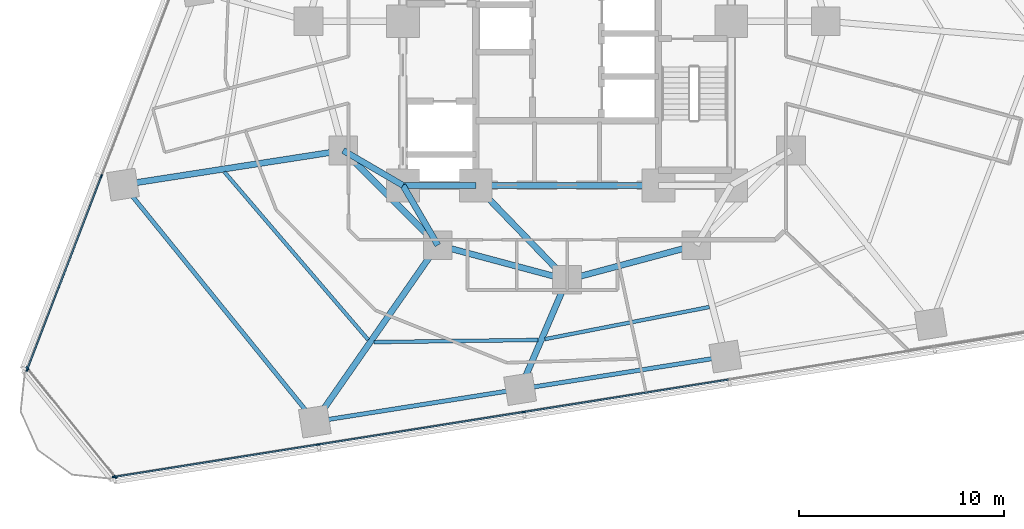
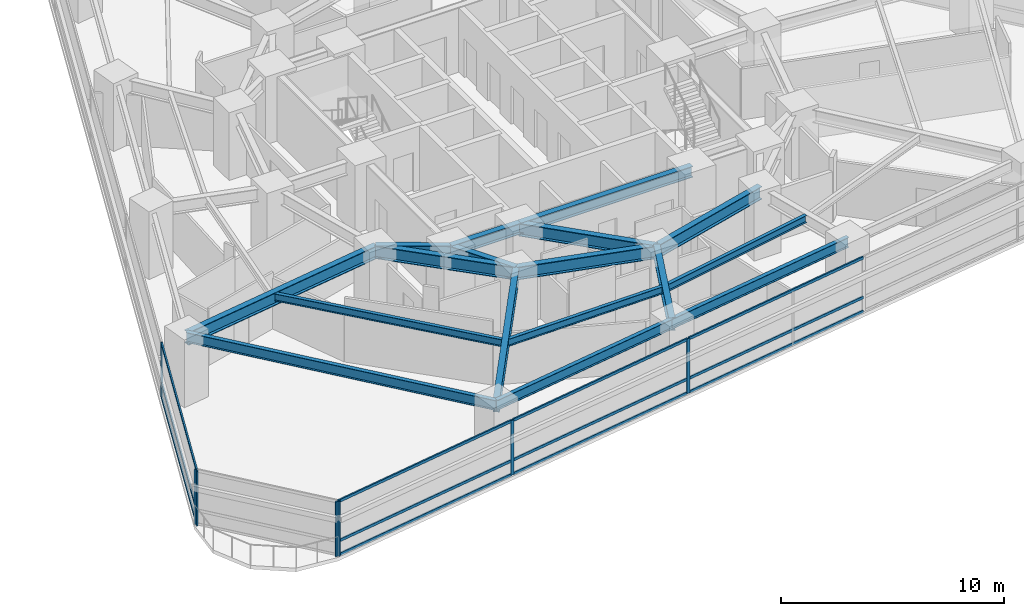
# One storey, part 2 of 14: 19 members, 17 beams, 3 elements without a shape of their own.
"""IFC4 building model written with IfcOpenShell, lengths in metres."""

from ifc_helpers import new_model, si_unit, direction, frame, origin, origin_2d, place, context, subcontext, project, spatial, rectangle, i_section, extrude, material, layer, layer_set, material_profile, profile_set, type_object, element, aggregate, save


model = new_model("IFC4")

# Units and contexts
model_context = context("Model", 3, precision=1e-05, world=origin(), true_north=direction((0.0, 1.0)))
body_context = subcontext(model_context, "Body", "Model", "MODEL_VIEW")
ifc_project = project(units=[si_unit("LENGTHUNIT", "METRE"), si_unit("AREAUNIT", "SQUARE_METRE"), si_unit("VOLUMEUNIT", "CUBIC_METRE"), si_unit("PLANEANGLEUNIT", "RADIAN"), si_unit("MASSUNIT", "GRAM", prefix="KILO")], contexts=[model_context])

# Site, building, storey
site_placement = place(None, origin())
site = spatial("IfcSite", under=ifc_project, at=site_placement, CompositionType="ELEMENT")
building_placement = place(site_placement, origin())
building = spatial("IfcBuilding", under=site, at=building_placement, Name="Terralouvre Media Tower", CompositionType="ELEMENT")
storey_placement = place(building_placement, frame((0.0, 0.0, 70.39990234375)))
storey = spatial("IfcBuildingStorey", under=building, at=storey_placement, Name="L17", CompositionType="ELEMENT", Elevation=70.39990234375)

# Beams
ifc_material_1 = material(Name="Structural steel S355J2", Category="steel")
ifc_material_profile_1 = material_profile(ifc_material_1, i_section(OverallWidth=0.179931640625, OverallDepth=0.39990234375, WebThickness=0.008544921875, FlangeThickness=0.013427734375, at=origin_2d()), Name="IPE 400")
ifc_profile_set_1 = profile_set([ifc_material_profile_1], Name="Structural steel S355J2")
beam_type_1 = type_object("IfcBeamType", Name="Composite Floor Joist J-IPE400 (IPE 400)", PredefinedType="JOIST", material=ifc_profile_set_1)
beam_1_placement = place(storey_placement, frame((-16.69921875, -7.3486328125, 3.300048828125), z_axis=(0.650576599138, -0.759440641955, 0.0), x_axis=(0.759440641955, 0.650576599138, 0.0)))
element("IfcBeam", 1, at=beam_1_placement, inside=storey, type_object=beam_type_1, Name="L17 Framing Beam JT-L17-01", PredefinedType="JOIST", context=body_context, shape_type="SweptSolid", body=[
    extrude(i_section(OverallWidth=0.179931640625, OverallDepth=0.39990234375, WebThickness=0.008544921875, FlangeThickness=0.013427734375, at=origin_2d()), origin(), (0.0, 0.0, 1.0), 10.766845703125),
])
beam_2_placement = place(storey_placement, frame((-9.41259765625, -15.63916015625, 3.300048828125), z_axis=(0.999910093881, 0.013409107136, 0.0), x_axis=(-0.013409107136, 0.999910093881, 0.0)))
element("IfcBeam", 2, at=beam_2_placement, inside=storey, type_object=beam_type_1, Name="L17 Framing Beam JT-L17-02", PredefinedType="JOIST", context=body_context, shape_type="SweptSolid", body=[
    extrude(i_section(OverallWidth=0.179931640625, OverallDepth=0.39990234375, WebThickness=0.008544921875, FlangeThickness=0.013427734375, at=origin_2d()), origin(), (0.0, 0.0, 1.0), 7.992919921875),
])
beam_3_placement = place(storey_placement, frame((-1.08203125, -15.495361328125, 3.300048828125), z_axis=(0.981397676367, 0.191985939127, 0.0), x_axis=(-0.191985939127, 0.981397676367, 0.0)))
element("IfcBeam", 3, at=beam_3_placement, inside=storey, type_object=beam_type_1, Name="L17 Framing Beam JT-L17-03", PredefinedType="JOIST", context=body_context, shape_type="SweptSolid", body=[
    extrude(i_section(OverallWidth=0.179931640625, OverallDepth=0.39990234375, WebThickness=0.008544921875, FlangeThickness=0.013427734375, at=origin_2d()), origin(), (0.0, 0.0, 1.0), 8.165283203125),
])

# Curtain wall, members
ifc_material_2 = material(Name="Low-iron laminated double glazing with solar-control coating", Category="glass")
ifc_layer_1 = layer(ifc_material_2, 0.1650390625, Name="Lower Media Tower Unitised Curtain Wall CW-02")
ifc_layer_set_1 = layer_set([ifc_layer_1], Name="Low-iron laminated double glazing with solar-control coating")
curtain_wall_type_1 = type_object("IfcCurtainWallType", Name="Lower Media Tower Unitised Curtain Wall CW-02", PredefinedType="NOTDEFINED", material=ifc_layer_set_1)
curtain_wall_1_placement = place(storey_placement, origin())
curtain_wall_1 = element("IfcCurtainWall", 4, at=curtain_wall_1_placement, inside=storey, type_object=curtain_wall_type_1, Name="L17 Facade Curtain Wall F0", PredefinedType="NOTDEFINED")
ifc_material_3 = material(Name="Anodised extruded aluminium 6063-T6", Category="aluminium")
ifc_material_profile_2 = material_profile(ifc_material_3, rectangle(XDim=0.074951171875, YDim=0.14990234375, at=origin_2d()), Name="ALU 75x150")
ifc_profile_set_2 = profile_set([ifc_material_profile_2], Name="Anodised extruded aluminium 6063-T6")
member_type_1 = type_object("IfcMemberType", Name="Curtain-Wall Horizontal Transom TR-150", PredefinedType="USERDEFINED", material=ifc_profile_set_2)
member_1_placement = place(storey_placement, frame((-22.04345703125, -22.2001953125, 0.03759765625), z_axis=(0.987689925264, 0.15642445951, 0.0), x_axis=(-0.15642445951, 0.987689925264, 0.0)))
member_1 = element("IfcMember", 5, at=member_1_placement, type_object=member_type_1, Name="CW-02 transom 1.1", ObjectType="TRANSOM", PredefinedType="USERDEFINED", context=body_context, shape_type="SweptSolid", body=[
    extrude(rectangle(XDim=0.074951171875, YDim=0.14990234375, at=origin_2d()), origin(), (0.0, 0.0, 1.0), 10.015380859375),
])
member_2_placement = place(storey_placement, frame((-22.04345703125, -22.2001953125, 0.800048828125), z_axis=(0.987689925264, 0.15642445951, 0.0), x_axis=(-0.15642445951, 0.987689925264, 0.0)))
member_2 = element("IfcMember", 6, at=member_2_placement, type_object=member_type_1, Name="CW-02 transom 1.2", ObjectType="TRANSOM", PredefinedType="USERDEFINED", context=body_context, shape_type="SweptSolid", body=[
    extrude(rectangle(XDim=0.074951171875, YDim=0.14990234375, at=origin_2d()), origin(), (0.0, 0.0, 1.0), 10.015380859375),
])
member_3_placement = place(storey_placement, frame((-22.04345703125, -22.2001953125, 2.962646484375), z_axis=(0.987689925264, 0.15642445951, 0.0), x_axis=(-0.15642445951, 0.987689925264, 0.0)))
member_3 = element("IfcMember", 7, at=member_3_placement, type_object=member_type_1, Name="CW-02 transom 1.3", ObjectType="TRANSOM", PredefinedType="USERDEFINED", context=body_context, shape_type="SweptSolid", body=[
    extrude(rectangle(XDim=0.074951171875, YDim=0.14990234375, at=origin_2d()), origin(), (0.0, 0.0, 1.0), 10.015380859375),
])
member_4_placement = place(storey_placement, frame((-12.0771484375, -20.62158203125, 0.03759765625), z_axis=(0.987690198625, 0.156422733448, 0.0), x_axis=(-0.156422733448, 0.987690198625, 0.0)))
member_4 = element("IfcMember", 8, at=member_4_placement, type_object=member_type_1, Name="CW-02 transom 2.1", ObjectType="TRANSOM", PredefinedType="USERDEFINED", context=body_context, shape_type="SweptSolid", body=[
    extrude(rectangle(XDim=0.074951171875, YDim=0.14990234375, at=origin_2d()), origin(), (0.0, 0.0, 1.0), 10.052978515625),
])
member_5_placement = place(storey_placement, frame((-12.0771484375, -20.62158203125, 0.800048828125), z_axis=(0.987690198625, 0.156422733448, 0.0), x_axis=(-0.156422733448, 0.987690198625, 0.0)))
member_5 = element("IfcMember", 9, at=member_5_placement, type_object=member_type_1, Name="CW-02 transom 2.2", ObjectType="TRANSOM", PredefinedType="USERDEFINED", context=body_context, shape_type="SweptSolid", body=[
    extrude(rectangle(XDim=0.074951171875, YDim=0.14990234375, at=origin_2d()), origin(), (0.0, 0.0, 1.0), 10.052978515625),
])
member_6_placement = place(storey_placement, frame((-12.0771484375, -20.62158203125, 2.962646484375), z_axis=(0.987690198625, 0.156422733448, 0.0), x_axis=(-0.156422733448, 0.987690198625, 0.0)))
member_6 = element("IfcMember", 10, at=member_6_placement, type_object=member_type_1, Name="CW-02 transom 2.3", ObjectType="TRANSOM", PredefinedType="USERDEFINED", context=body_context, shape_type="SweptSolid", body=[
    extrude(rectangle(XDim=0.074951171875, YDim=0.14990234375, at=origin_2d()), origin(), (0.0, 0.0, 1.0), 10.052978515625),
])
member_7_placement = place(storey_placement, frame((-2.073974609375, -19.037353515625, 0.03759765625), z_axis=(0.987686446318, 0.156446424568, 0.0), x_axis=(-0.156446424568, 0.987686446318, 0.0)))
member_7 = element("IfcMember", 11, at=member_7_placement, type_object=member_type_1, Name="CW-02 transom 3.1", ObjectType="TRANSOM", PredefinedType="USERDEFINED", context=body_context, shape_type="SweptSolid", body=[
    extrude(rectangle(XDim=0.074951171875, YDim=0.14990234375, at=origin_2d()), origin(), (0.0, 0.0, 1.0), 10.052978515625),
])
member_8_placement = place(storey_placement, frame((-2.073974609375, -19.037353515625, 0.800048828125), z_axis=(0.987686446318, 0.156446424568, 0.0), x_axis=(-0.156446424568, 0.987686446318, 0.0)))
member_8 = element("IfcMember", 12, at=member_8_placement, type_object=member_type_1, Name="CW-02 transom 3.2", ObjectType="TRANSOM", PredefinedType="USERDEFINED", context=body_context, shape_type="SweptSolid", body=[
    extrude(rectangle(XDim=0.074951171875, YDim=0.14990234375, at=origin_2d()), origin(), (0.0, 0.0, 1.0), 10.052978515625),
])
member_9_placement = place(storey_placement, frame((-2.073974609375, -19.037353515625, 2.962646484375), z_axis=(0.987686446318, 0.156446424568, 0.0), x_axis=(-0.156446424568, 0.987686446318, 0.0)))
member_9 = element("IfcMember", 13, at=member_9_placement, type_object=member_type_1, Name="CW-02 transom 3.3", ObjectType="TRANSOM", PredefinedType="USERDEFINED", context=body_context, shape_type="SweptSolid", body=[
    extrude(rectangle(XDim=0.074951171875, YDim=0.14990234375, at=origin_2d()), origin(), (0.0, 0.0, 1.0), 10.052978515625),
])

curtain_wall_2_placement = place(storey_placement, origin())
curtain_wall_2 = element("IfcCurtainWall", 14, at=curtain_wall_2_placement, inside=storey, type_object=curtain_wall_type_1, Name="L17 Facade Curtain Wall F2", PredefinedType="NOTDEFINED")
member_10_placement = place(storey_placement, frame((-22.708984375, -7.595947265625, 0.03759765625), z_axis=(-0.358363173116, -0.933582259983, 0.0), x_axis=(0.933582259983, -0.358363173116, 0.0)))
member_10 = element("IfcMember", 15, at=member_10_placement, type_object=member_type_1, Name="CW-02 transom 5.1", ObjectType="TRANSOM", PredefinedType="USERDEFINED", context=body_context, shape_type="SweptSolid", body=[
    extrude(rectangle(XDim=0.074951171875, YDim=0.14990234375, at=origin_2d()), origin(), (0.0, 0.0, 1.0), 10.015380859375),
])
member_11_placement = place(storey_placement, frame((-22.708984375, -7.595947265625, 0.800048828125), z_axis=(-0.358363173116, -0.933582259983, 0.0), x_axis=(0.933582259983, -0.358363173116, 0.0)))
member_11 = element("IfcMember", 16, at=member_11_placement, type_object=member_type_1, Name="CW-02 transom 5.2", ObjectType="TRANSOM", PredefinedType="USERDEFINED", context=body_context, shape_type="SweptSolid", body=[
    extrude(rectangle(XDim=0.074951171875, YDim=0.14990234375, at=origin_2d()), origin(), (0.0, 0.0, 1.0), 10.015380859375),
])
member_12_placement = place(storey_placement, frame((-22.708984375, -7.595947265625, 2.962646484375), z_axis=(-0.358363173116, -0.933582259983, 0.0), x_axis=(0.933582259983, -0.358363173116, 0.0)))
member_12 = element("IfcMember", 17, at=member_12_placement, type_object=member_type_1, Name="CW-02 transom 5.3", ObjectType="TRANSOM", PredefinedType="USERDEFINED", context=body_context, shape_type="SweptSolid", body=[
    extrude(rectangle(XDim=0.074951171875, YDim=0.14990234375, at=origin_2d()), origin(), (0.0, 0.0, 1.0), 10.015380859375),
])

# Member
ifc_material_4 = material(Name="Anodised extruded aluminium 6063-T6", Category="aluminium")
ifc_material_profile_3 = material_profile(ifc_material_4, rectangle(XDim=0.074951171875, YDim=0.179931640625, at=origin_2d()), Name="ALU 75x180")
ifc_profile_set_3 = profile_set([ifc_material_profile_3], Name="Anodised extruded aluminium 6063-T6")
member_type_2 = type_object("IfcMemberType", Name="Curtain-Wall Vertical Mullion ML-180", PredefinedType="MULLION", material=ifc_profile_set_3)
member_13_placement = place(storey_placement, frame((-22.08056640625, -22.2060546875, 0.0), z_axis=(0.0, 0.0, 1.0), x_axis=(-0.156434462903, 0.987688340934, 0.0)))
member_13 = element("IfcMember", 18, at=member_13_placement, type_object=member_type_2, Name="CW-02 mullion 1", PredefinedType="MULLION", context=body_context, shape_type="SweptSolid", body=[
    extrude(rectangle(XDim=0.074951171875, YDim=0.179931640625, at=origin_2d()), origin(), (0.0, 0.0, 1.0), 3.0),
])

member_14_placement = place(storey_placement, frame((-12.1142578125, -20.62744140625, 0.0), z_axis=(0.0, 0.0, 1.0), x_axis=(-0.156434462903, 0.987688340934, 0.0)))
member_14 = element("IfcMember", 19, at=member_14_placement, type_object=member_type_2, Name="CW-02 mullion 2", PredefinedType="MULLION", context=body_context, shape_type="SweptSolid", body=[
    extrude(rectangle(XDim=0.074951171875, YDim=0.179931640625, at=origin_2d()), origin(), (0.0, 0.0, 1.0), 3.0),
])

member_15_placement = place(storey_placement, frame((-2.111083984375, -19.043212890625, 0.0), z_axis=(0.0, 0.0, 1.0), x_axis=(-0.156434462903, 0.987688340934, 0.0)))
member_15 = element("IfcMember", 20, at=member_15_placement, type_object=member_type_2, Name="CW-02 mullion 3", PredefinedType="MULLION", context=body_context, shape_type="SweptSolid", body=[
    extrude(rectangle(XDim=0.074951171875, YDim=0.179931640625, at=origin_2d()), origin(), (0.0, 0.0, 1.0), 3.0),
])

aggregate(curtain_wall_1, [member_13, member_14, member_15, member_1, member_2, member_3, member_4, member_5, member_6, member_7, member_8, member_9])

member_16_placement = place(storey_placement, frame((-22.695556640625, -7.560791015625, 0.0), z_axis=(0.0, 0.0, 1.0), x_axis=(0.933580438988, -0.358367917006, 0.0)))
member_16 = element("IfcMember", 21, at=member_16_placement, type_object=member_type_2, Name="CW-02 mullion 5", PredefinedType="MULLION", context=body_context, shape_type="SweptSolid", body=[
    extrude(rectangle(XDim=0.074951171875, YDim=0.179931640625, at=origin_2d()), origin(), (0.0, 0.0, 1.0), 3.0),
])

member_17_placement = place(storey_placement, frame((-26.3115234375, -16.981201171875, 0.0), z_axis=(0.0, 0.0, 1.0), x_axis=(0.933580438988, -0.358367917006, 0.0)))
member_17 = element("IfcMember", 22, at=member_17_placement, type_object=member_type_2, Name="CW-02 mullion 6", PredefinedType="MULLION", context=body_context, shape_type="SweptSolid", body=[
    extrude(rectangle(XDim=0.074951171875, YDim=0.179931640625, at=origin_2d()), origin(), (0.0, 0.0, 1.0), 3.0),
])

aggregate(curtain_wall_2, [member_16, member_17, member_10, member_11, member_12])

# Curtain wall, members
ifc_material_5 = material(Name="Low-iron laminated double glazing with solar-control coating", Category="glass")
ifc_layer_2 = layer(ifc_material_5, 0.1650390625, Name="Rounded Wind-Corner Curved Glazing CW-04")
ifc_layer_set_2 = layer_set([ifc_layer_2], Name="Low-iron laminated double glazing with solar-control coating")
curtain_wall_type_2 = type_object("IfcCurtainWallType", Name="Rounded Wind-Corner Curved Glazing CW-04", PredefinedType="NOTDEFINED", material=ifc_layer_set_2)
curtain_wall_3_placement = place(storey_placement, origin())
curtain_wall_3 = element("IfcCurtainWall", 23, at=curtain_wall_3_placement, inside=storey, type_object=curtain_wall_type_2, Name="L17 Rounded Wind-Corner Curtain Wall C0", PredefinedType="NOTDEFINED")
member_18_placement = place(storey_placement, frame((-26.3046875, -16.9140625, 0.0), z_axis=(0.0, 0.0, 1.0), x_axis=(0.777146252262, 0.629320031936, 0.0)))
member_18 = element("IfcMember", 24, at=member_18_placement, type_object=member_type_2, Name="CW-04 mullion 1", PredefinedType="MULLION", context=body_context, shape_type="SweptSolid", body=[
    extrude(rectangle(XDim=0.074951171875, YDim=0.179931640625, at=origin_2d()), origin(), (0.0, 0.0, 1.0), 3.0),
])
member_19_placement = place(storey_placement, frame((-22.013671875, -22.213134765625, 0.0), z_axis=(0.0, 0.0, 1.0), x_axis=(0.777146252262, 0.629320031936, 0.0)))
member_19 = element("IfcMember", 25, at=member_19_placement, type_object=member_type_2, Name="CW-04 mullion 2", PredefinedType="MULLION", context=body_context, shape_type="SweptSolid", body=[
    extrude(rectangle(XDim=0.074951171875, YDim=0.179931640625, at=origin_2d()), origin(), (0.0, 0.0, 1.0), 3.0),
])
aggregate(curtain_wall_3, [member_18, member_19])

# Beams
ifc_material_6 = material(Name="Structural steel S355J2", Category="steel")
ifc_material_profile_4 = material_profile(ifc_material_6, i_section(OverallWidth=0.2099609375, OverallDepth=0.550048828125, WebThickness=0.010986328125, FlangeThickness=0.01708984375, at=origin_2d()), Name="IPE 550")
ifc_profile_set_4 = profile_set([ifc_material_profile_4], Name="Structural steel S355J2")
beam_type_2 = type_object("IfcBeamType", Name="Perimeter Spandrel Beam SPB-550 (IPE 550)", PredefinedType="SPANDREL", material=ifc_profile_set_4)
beam_4_placement = place(storey_placement, frame((-21.640625, -7.9658203125, 3.22509765625), z_axis=(0.629325386112, -0.777141916509, 0.0), x_axis=(0.777141916509, 0.629325386112, 0.0)))
element("IfcBeam", 26, at=beam_4_placement, inside=storey, type_object=beam_type_2, Name="L17 Framing Beam BM-L17-PR01", PredefinedType="SPANDREL", context=body_context, shape_type="SweptSolid", body=[
    extrude(i_section(OverallWidth=0.2099609375, OverallDepth=0.550048828125, WebThickness=0.010986328125, FlangeThickness=0.01708984375, at=origin_2d()), origin(), (0.0, 0.0, 1.0), 14.8564453125),
])
beam_5_placement = place(storey_placement, frame((-12.291015625, -19.511474609375, 3.22509765625), z_axis=(0.987686424887, 0.156446559869, 0.0), x_axis=(-0.156446559869, 0.987686424887, 0.0)))
element("IfcBeam", 27, at=beam_5_placement, inside=storey, type_object=beam_type_2, Name="L17 Framing Beam BM-L17-PR02", PredefinedType="SPANDREL", context=body_context, shape_type="SweptSolid", body=[
    extrude(i_section(OverallWidth=0.2099609375, OverallDepth=0.550048828125, WebThickness=0.010986328125, FlangeThickness=0.01708984375, at=origin_2d()), origin(), (0.0, 0.0, 1.0), 10.1279296875),
])
beam_6_placement = place(storey_placement, frame((-2.287841796875, -17.927001953125, 3.22509765625), z_axis=(0.987690739256, 0.15641931974, 0.0), x_axis=(-0.15641931974, 0.987690739256, 0.0)))
element("IfcBeam", 28, at=beam_6_placement, inside=storey, type_object=beam_type_2, Name="L17 Framing Beam BM-L17-PR03", PredefinedType="SPANDREL", context=body_context, shape_type="SweptSolid", body=[
    extrude(i_section(OverallWidth=0.2099609375, OverallDepth=0.550048828125, WebThickness=0.010986328125, FlangeThickness=0.01708984375, at=origin_2d()), origin(), (0.0, 0.0, 1.0), 10.128173828125),
])
ifc_material_7 = material(Name="Structural steel S460M", Category="steel")
ifc_material_profile_5 = material_profile(ifc_material_7, i_section(OverallWidth=0.300048828125, OverallDepth=0.60009765625, WebThickness=0.015380859375, FlangeThickness=0.030029296875, at=origin_2d()), Name="HEB 600")
ifc_profile_set_5 = profile_set([ifc_material_profile_5], Name="Structural steel S460M")
beam_type_3 = type_object("IfcBeamType", Name="Primary Floor Girder B-HEB600 (HEB 600)", PredefinedType="BEAM", material=ifc_profile_set_5)
beam_7_placement = place(storey_placement, frame((-8.0, -8.0, 3.2001953125), z_axis=(1.0, 0.0, 0.0), x_axis=(0.0, 1.0, 0.0)))
element("IfcBeam", 29, at=beam_7_placement, inside=storey, type_object=beam_type_3, Name="L17 Framing Beam BM-L17-CPR01", PredefinedType="BEAM", context=body_context, shape_type="SweptSolid", body=[
    extrude(i_section(OverallWidth=0.300048828125, OverallDepth=0.60009765625, WebThickness=0.015380859375, FlangeThickness=0.030029296875, at=origin_2d()), origin(), (0.0, 0.0, 1.0), 3.550048828125),
])
beam_8_placement = place(storey_placement, frame((-4.449951171875, -8.0, 3.2001953125), z_axis=(1.0, 0.0, 0.0), x_axis=(0.0, 1.0, 0.0)))
element("IfcBeam", 30, at=beam_8_placement, inside=storey, type_object=beam_type_3, Name="L17 Framing Beam BM-L17-CPR02", PredefinedType="BEAM", context=body_context, shape_type="SweptSolid", body=[
    extrude(i_section(OverallWidth=0.300048828125, OverallDepth=0.60009765625, WebThickness=0.015380859375, FlangeThickness=0.030029296875, at=origin_2d()), origin(), (0.0, 0.0, 1.0), 8.89990234375),
])
ifc_material_8 = material(Name="Structural steel S460M", Category="steel")
ifc_material_profile_6 = material_profile(ifc_material_8, i_section(OverallWidth=0.300048828125, OverallDepth=0.699951171875, WebThickness=0.01708984375, FlangeThickness=0.031982421875, at=origin_2d()), Name="HEB 700")
ifc_profile_set_6 = profile_set([ifc_material_profile_6], Name="Structural steel S460M")
beam_type_4 = type_object("IfcBeamType", Name="Primary Floor Girder B-HEB700 (HEB 700)", PredefinedType="BEAM", material=ifc_profile_set_6)
beam_9_placement = place(storey_placement, frame((-10.911865234375, -6.300048828125, 3.150146484375), z_axis=(0.707106781187, -0.707106781187, 0.0), x_axis=(0.707106781187, 0.707106781187, 0.0)))
element("IfcBeam", 31, at=beam_9_placement, inside=storey, type_object=beam_type_4, Name="L17 Framing Beam BM-L17-MR01", PredefinedType="BEAM", context=body_context, shape_type="SweptSolid", body=[
    extrude(i_section(OverallWidth=0.300048828125, OverallDepth=0.699951171875, WebThickness=0.01708984375, FlangeThickness=0.031982421875, at=origin_2d()), origin(), (0.0, 0.0, 1.0), 6.52197265625),
])
for number, where, z_axis, x_axis, name in (
    (32, (-6.300048828125, -10.911865234375, 3.150146484375), (0.965920481897, -0.258838989821, 0.0), (0.258838989821, 0.965920481897, 0.0), "L17 Framing Beam BM-L17-MR02"),
    (33, (0.0, -12.60009765625, 3.150146484375), (0.965920481897, 0.258838989821, 0.0), (-0.258838989821, 0.965920481897, 0.0), "L17 Framing Beam BM-L17-MR03"),
):
    element("IfcBeam", number, at=place(storey_placement, frame(where, z_axis=z_axis, x_axis=x_axis)), inside=storey, type_object=beam_type_4, Name=name, PredefinedType="BEAM", context=body_context, shape_type="SweptSolid", body=[
        extrude(i_section(OverallWidth=0.300048828125, OverallDepth=0.699951171875, WebThickness=0.01708984375, FlangeThickness=0.031982421875, at=origin_2d()), origin(), (0.0, 0.0, 1.0), 6.522216796875),
    ])
for number, where, z_axis, x_axis, name in (
    (34, (-8.0, -8.0, 3.150146484375), (-0.863602894532, 0.504172629717, 0.0), (-0.504172629717, -0.863602894532, 0.0), "L17 Framing Beam BM-L17-CM01"),
    (35, (-8.0, -8.0, 3.150146484375), (0.504172629717, -0.863602894532, 0.0), (0.863602894532, 0.504172629717, 0.0), "L17 Framing Beam BM-L17-CM02"),
):
    element("IfcBeam", number, at=place(storey_placement, frame(where, z_axis=z_axis, x_axis=x_axis)), inside=storey, type_object=beam_type_4, Name=name, PredefinedType="BEAM", context=body_context, shape_type="SweptSolid", body=[
        extrude(i_section(OverallWidth=0.300048828125, OverallDepth=0.699951171875, WebThickness=0.01708984375, FlangeThickness=0.031982421875, at=origin_2d()), origin(), (0.0, 0.0, 1.0), 3.371826171875),
    ])
beam_10_placement = place(storey_placement, frame((-4.449951171875, -8.0, 3.150146484375), z_axis=(0.695279715726, -0.718739255155, 0.0), x_axis=(0.718739255155, 0.695279715726, 0.0)))
element("IfcBeam", 36, at=beam_10_placement, inside=storey, type_object=beam_type_4, Name="L17 Framing Beam BM-L17-CM03", PredefinedType="BEAM", context=body_context, shape_type="SweptSolid", body=[
    extrude(i_section(OverallWidth=0.300048828125, OverallDepth=0.699951171875, WebThickness=0.01708984375, FlangeThickness=0.031982421875, at=origin_2d()), origin(), (0.0, 0.0, 1.0), 6.400146484375),
])
beam_11_placement = place(storey_placement, frame((-10.911865234375, -6.300048828125, 3.150146484375), z_axis=(-0.98816044694, -0.153424023881, 0.0), x_axis=(0.153424023881, -0.98816044694, 0.0)))
element("IfcBeam", 37, at=beam_11_placement, inside=storey, type_object=beam_type_4, Name="L17 Framing Beam BM-L17-RD01", PredefinedType="BEAM", context=body_context, shape_type="SweptSolid", body=[
    extrude(i_section(OverallWidth=0.300048828125, OverallDepth=0.699951171875, WebThickness=0.01708984375, FlangeThickness=0.031982421875, at=origin_2d()), origin(), (0.0, 0.0, 1.0), 10.857421875),
])
beam_12_placement = place(storey_placement, frame((-6.300048828125, -10.911865234375, 3.150146484375), z_axis=(-0.571619237268, -0.820519011105, 0.0), x_axis=(0.820519011105, -0.571619237268, 0.0)))
element("IfcBeam", 38, at=beam_12_placement, inside=storey, type_object=beam_type_4, Name="L17 Framing Beam BM-L17-RD02", PredefinedType="BEAM", context=body_context, shape_type="SweptSolid", body=[
    extrude(i_section(OverallWidth=0.300048828125, OverallDepth=0.699951171875, WebThickness=0.01708984375, FlangeThickness=0.031982421875, at=origin_2d()), origin(), (0.0, 0.0, 1.0), 10.480712890625),
])
beam_13_placement = place(storey_placement, frame((0.0, -12.60009765625, 3.150146484375), z_axis=(-0.394630726641, -0.918839806272, 0.0), x_axis=(0.918839806272, -0.394630726641, 0.0)))
element("IfcBeam", 39, at=beam_13_placement, inside=storey, type_object=beam_type_4, Name="L17 Framing Beam BM-L17-RD03", PredefinedType="BEAM", context=body_context, shape_type="SweptSolid", body=[
    extrude(i_section(OverallWidth=0.300048828125, OverallDepth=0.699951171875, WebThickness=0.01708984375, FlangeThickness=0.031982421875, at=origin_2d()), origin(), (0.0, 0.0, 1.0), 5.79736328125),
])

save(model, "model.ifc")
